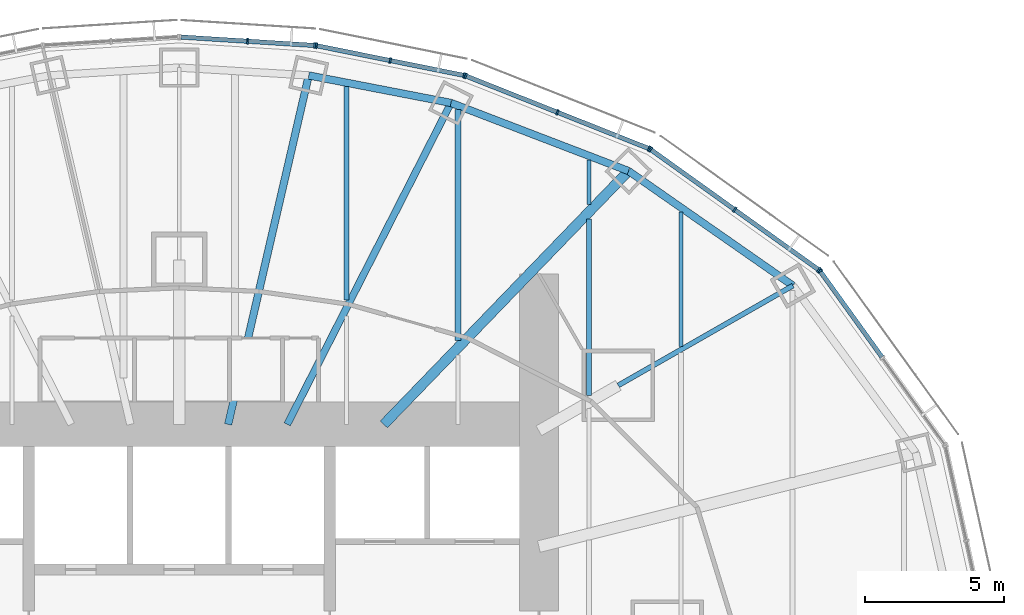
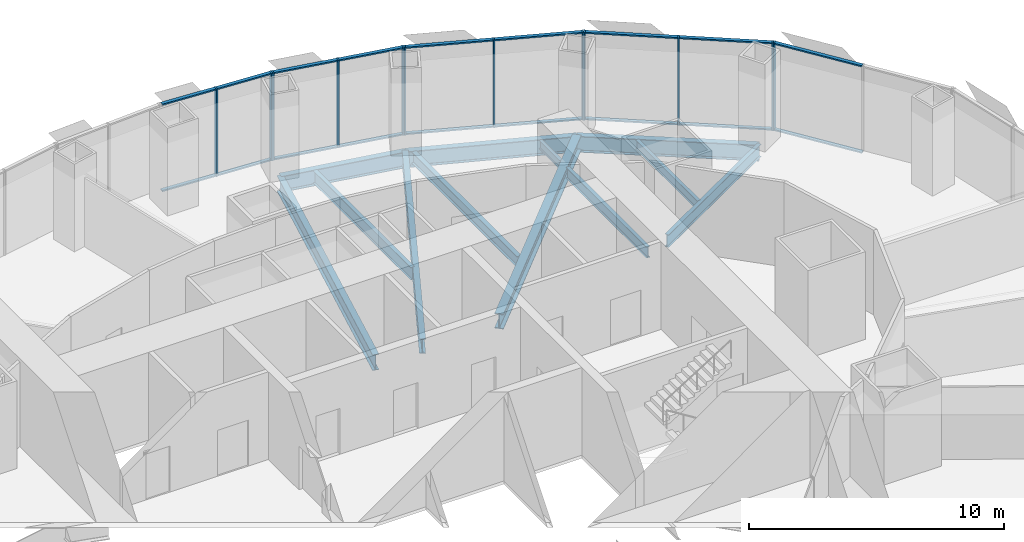
# One storey, part 8 of 18: 30 members, 12 beams, 5 elements without a shape of their own.
"""IFC4 building model written with IfcOpenShell, lengths in metres."""

from ifc_helpers import new_model, si_unit, direction, frame, origin, origin_2d, place, context, subcontext, project, spatial, rectangle, i_section, extrude, material, material_profile, profile_set, type_object, element, aggregate, save


model = new_model("IFC4")

# Units and contexts
model_context = context("Model", 3, precision=1e-05, world=origin(), true_north=direction((0.0, 1.0)))
body_context = subcontext(model_context, "Body", "Model", "MODEL_VIEW")
ifc_project = project(units=[si_unit("LENGTHUNIT", "METRE"), si_unit("AREAUNIT", "SQUARE_METRE"), si_unit("VOLUMEUNIT", "CUBIC_METRE"), si_unit("PLANEANGLEUNIT", "RADIAN"), si_unit("MASSUNIT", "GRAM", prefix="KILO")], contexts=[model_context])

# Site, building, storey
site_placement = place(None, origin())
site = spatial("IfcSite", under=ifc_project, at=site_placement, CompositionType="ELEMENT")
building_placement = place(site_placement, origin())
building = spatial("IfcBuilding", under=site, at=building_placement, Name="Lantaw Convention Tower", CompositionType="ELEMENT")
storey_placement = place(building_placement, frame((0.0, 0.0, 130.0)))
storey = spatial("IfcBuildingStorey", under=building, at=storey_placement, Name="L30", CompositionType="ELEMENT", Elevation=130.0)

# Beams
ifc_material_1 = material(Name="Steel ASTM A992", Category="steel")
ifc_material_profile_1 = material_profile(ifc_material_1, i_section(OverallWidth=0.2666015625, OverallDepth=0.76953125, WebThickness=0.015625, FlangeThickness=0.025390625, FilletRadius=0.0126953125, at=origin_2d()), Name="W30X132")
ifc_profile_set_1 = profile_set([ifc_material_profile_1], Name="Steel ASTM A992")
beam_type_1 = type_object("IfcBeamType", Name="Beam E W30X132", PredefinedType="SPANDREL", material=ifc_profile_set_1)
beam_1_placement = place(storey_placement, frame((22.013916015625, 12.579345703125, -0.534912109375), z_axis=(-0.820310765287, 0.57191804339, 0.0), x_axis=(-0.57191804339, -0.820310765287, 0.0)))
element("IfcBeam", 1, at=beam_1_placement, inside=storey, type_object=beam_type_1, Name="Edge beam 3", PredefinedType="SPANDREL", context=body_context, shape_type="SweptSolid", body=[
    extrude(i_section(OverallWidth=0.2666015625, OverallDepth=0.76953125, WebThickness=0.015625, FlangeThickness=0.025390625, FilletRadius=0.0126953125, at=origin_2d()), origin(), (0.0, 0.0, 1.0), 7.187744140625),
])
beam_2_placement = place(storey_placement, frame((16.11767578125, 16.690185546875, -0.534912109375), z_axis=(-0.933691081977, 0.358079549033, 0.0), x_axis=(-0.358079549033, -0.933691081977, 0.0)))
element("IfcBeam", 2, at=beam_2_placement, inside=storey, type_object=beam_type_1, Name="Edge beam 4", PredefinedType="SPANDREL", context=body_context, shape_type="SweptSolid", body=[
    extrude(i_section(OverallWidth=0.2666015625, OverallDepth=0.76953125, WebThickness=0.015625, FlangeThickness=0.025390625, FilletRadius=0.0126953125, at=origin_2d()), origin(), (0.0, 0.0, 1.0), 6.821533203125),
])
beam_3_placement = place(storey_placement, frame((9.74853515625, 19.1328125, -0.534912109375), z_axis=(-0.981796805654, 0.189934284446, 0.0), x_axis=(-0.189934284446, -0.981796805654, 0.0)))
element("IfcBeam", 3, at=beam_3_placement, inside=storey, type_object=beam_type_1, Name="Edge beam 5", PredefinedType="SPANDREL", context=body_context, shape_type="SweptSolid", body=[
    extrude(i_section(OverallWidth=0.2666015625, OverallDepth=0.76953125, WebThickness=0.015625, FlangeThickness=0.025390625, FilletRadius=0.0126953125, at=origin_2d()), origin(), (0.0, 0.0, 1.0), 5.1982421875),
])
ifc_material_profile_2 = material_profile(ifc_material_1, i_section(OverallWidth=0.177978515625, OverallDepth=0.599365234375, WebThickness=0.010009765625, FlangeThickness=0.012939453125, FilletRadius=0.012939453125, at=origin_2d()), Name="W24X55")
ifc_profile_set_2 = profile_set([ifc_material_profile_2], Name="Steel ASTM A992")
beam_type_2 = type_object("IfcBeamType", Name="Beam G W24X55", PredefinedType="BEAM", material=ifc_profile_set_2)
beam_4_placement = place(storey_placement, frame((15.75, 9.0, -0.44970703125), z_axis=(0.868245224608, 0.496135293993, 0.0), x_axis=(-0.496135293993, 0.868245224608, 0.0)))
element("IfcBeam", 4, at=beam_4_placement, inside=storey, type_object=beam_type_2, Name="Floor girder on ray 3", PredefinedType="BEAM", context=body_context, shape_type="SweptSolid", body=[
    extrude(i_section(OverallWidth=0.177978515625, OverallDepth=0.599365234375, WebThickness=0.010009765625, FlangeThickness=0.012939453125, FilletRadius=0.012939453125, at=origin_2d()), origin(), (0.0, 0.0, 1.0), 7.21435546875),
])
ifc_material_profile_3 = material_profile(ifc_material_1, i_section(OverallWidth=0.25390625, OverallDepth=0.700927734375, WebThickness=0.015380859375, FlangeThickness=0.02783203125, FilletRadius=0.01513671875, at=origin_2d()), Name="W27X129")
ifc_profile_set_3 = profile_set([ifc_material_profile_3], Name="Steel ASTM A992")
beam_type_3 = type_object("IfcBeamType", Name="Beam G W27X129", PredefinedType="BEAM", material=ifc_profile_set_3)
beam_5_placement = place(storey_placement, frame((3.872314453125, 7.60009765625, -0.50048828125), z_axis=(0.453991051051, 0.891006243281, 0.0), x_axis=(-0.891006243281, 0.453991051051, 0.0)))
element("IfcBeam", 5, at=beam_5_placement, inside=storey, type_object=beam_type_3, Name="Floor girder on ray 5", PredefinedType="BEAM", context=body_context, shape_type="SweptSolid", body=[
    extrude(i_section(OverallWidth=0.25390625, OverallDepth=0.700927734375, WebThickness=0.015380859375, FlangeThickness=0.02783203125, FilletRadius=0.01513671875, at=origin_2d()), origin(), (0.0, 0.0, 1.0), 12.943359375),
])
ifc_material_profile_4 = material_profile(ifc_material_1, i_section(OverallWidth=0.360595703125, OverallDepth=0.72900390625, WebThickness=0.023193359375, FlangeThickness=0.041015625, FilletRadius=0.0126953125, at=origin_2d()), Name="W27X235")
ifc_profile_set_4 = profile_set([ifc_material_profile_4], Name="Steel ASTM A992")
beam_type_4 = type_object("IfcBeamType", Name="Beam G W27X235", PredefinedType="BEAM", material=ifc_profile_set_4)
beam_6_placement = place(storey_placement, frame((7.33935546875, 7.60009765625, -0.514404296875), z_axis=(0.694663467407, 0.719334878239, 0.0), x_axis=(-0.719334878239, 0.694663467407, 0.0)))
element("IfcBeam", 6, at=beam_6_placement, inside=storey, type_object=beam_type_4, Name="Floor girder on ray 4", PredefinedType="BEAM", context=body_context, shape_type="SweptSolid", body=[
    extrude(i_section(OverallWidth=0.360595703125, OverallDepth=0.72900390625, WebThickness=0.023193359375, FlangeThickness=0.041015625, FilletRadius=0.0126953125, at=origin_2d()), origin(), (0.0, 0.0, 1.0), 12.63671875),
])
ifc_material_profile_5 = material_profile(ifc_material_1, i_section(OverallWidth=0.2666015625, OverallDepth=0.7568359375, WebThickness=0.013916015625, FlangeThickness=0.019287109375, FilletRadius=0.0126953125, at=origin_2d()), Name="W30X108")
ifc_profile_set_5 = profile_set([ifc_material_profile_5], Name="Steel ASTM A992")
beam_type_5 = type_object("IfcBeamType", Name="Beam G W30X108", PredefinedType="BEAM", material=ifc_profile_set_5)
beam_7_placement = place(storey_placement, frame((1.754638671875, 7.60009765625, -0.528564453125), z_axis=(0.224944153104, 0.974371658036, 0.0), x_axis=(-0.974371658036, 0.224944153104, 0.0)))
element("IfcBeam", 7, at=beam_7_placement, inside=storey, type_object=beam_type_5, Name="Floor girder on ray 6", PredefinedType="BEAM", context=body_context, shape_type="SweptSolid", body=[
    extrude(i_section(OverallWidth=0.2666015625, OverallDepth=0.7568359375, WebThickness=0.013916015625, FlangeThickness=0.019287109375, FilletRadius=0.0126953125, at=origin_2d()), origin(), (0.0, 0.0, 1.0), 12.849365234375),
])
ifc_material_profile_6 = material_profile(ifc_material_1, i_section(OverallWidth=0.140380859375, OverallDepth=0.40380859375, WebThickness=0.007080078125, FlangeThickness=0.01123046875, FilletRadius=0.01025390625, at=origin_2d()), Name="W16X31")
ifc_profile_set_6 = profile_set([ifc_material_profile_6], Name="Steel ASTM A992")
beam_type_6 = type_object("IfcBeamType", Name="Beam J W16X31", PredefinedType="JOIST", material=ifc_profile_set_6)
beam_8_placement = place(storey_placement, frame((14.699951171875, 15.48193359375, -0.35205078125), z_axis=(0.0, 1.0, 0.0), x_axis=(-1.0, 0.0, 0.0)))
element("IfcBeam", 8, at=beam_8_placement, inside=storey, type_object=beam_type_6, Name="Floor joist", PredefinedType="JOIST", context=body_context, shape_type="SweptSolid", body=[
    extrude(i_section(OverallWidth=0.140380859375, OverallDepth=0.40380859375, WebThickness=0.007080078125, FlangeThickness=0.01123046875, FilletRadius=0.01025390625, at=origin_2d()), origin(), (0.0, 0.0, 1.0), 1.609130859375),
])
ifc_material_profile_7 = material_profile(ifc_material_1, i_section(OverallWidth=0.15234375, OverallDepth=0.449462890625, WebThickness=0.007568359375, FlangeThickness=0.0107421875, FilletRadius=0.01025390625, at=origin_2d()), Name="W18X35")
ifc_profile_set_7 = profile_set([ifc_material_profile_7], Name="Steel ASTM A992")
beam_type_7 = type_object("IfcBeamType", Name="Beam J W18X35", PredefinedType="JOIST", material=ifc_profile_set_7)
beam_9_placement = place(storey_placement, frame((18.0, 10.38818359375, -0.374755859375), z_axis=(0.0, 1.0, 0.0), x_axis=(-1.0, 0.0, 0.0)))
element("IfcBeam", 9, at=beam_9_placement, inside=storey, type_object=beam_type_7, Name="Floor joist", PredefinedType="JOIST", context=body_context, shape_type="SweptSolid", body=[
    extrude(i_section(OverallWidth=0.15234375, OverallDepth=0.449462890625, WebThickness=0.007568359375, FlangeThickness=0.0107421875, FilletRadius=0.01025390625, at=origin_2d()), origin(), (0.0, 0.0, 1.0), 4.8271484375),
])
ifc_material_profile_8 = material_profile(ifc_material_1, i_section(OverallWidth=0.1650390625, OverallDepth=0.52587890625, WebThickness=0.0087890625, FlangeThickness=0.011474609375, FilletRadius=0.0126953125, at=origin_2d()), Name="W21X44")
ifc_profile_set_8 = profile_set([ifc_material_profile_8], Name="Steel ASTM A992")
beam_type_8 = type_object("IfcBeamType", Name="Beam J W21X44", PredefinedType="JOIST", material=ifc_profile_set_8)
beam_10_placement = place(storey_placement, frame((14.699951171875, 8.632568359375, -0.412841796875), z_axis=(0.0, 1.0, 0.0), x_axis=(-1.0, 0.0, 0.0)))
element("IfcBeam", 10, at=beam_10_placement, inside=storey, type_object=beam_type_8, Name="Floor joist", PredefinedType="JOIST", context=body_context, shape_type="SweptSolid", body=[
    extrude(i_section(OverallWidth=0.1650390625, OverallDepth=0.52587890625, WebThickness=0.0087890625, FlangeThickness=0.011474609375, FilletRadius=0.0126953125, at=origin_2d()), origin(), (0.0, 0.0, 1.0), 6.330078125),
])
ifc_material_profile_9 = material_profile(ifc_material_1, i_section(OverallWidth=0.2099609375, OverallDepth=0.535888671875, WebThickness=0.010986328125, FlangeThickness=0.017333984375, FilletRadius=0.012939453125, at=origin_2d()), Name="W21X68")
ifc_profile_set_9 = profile_set([ifc_material_profile_9], Name="Steel ASTM A992")
beam_type_9 = type_object("IfcBeamType", Name="Beam J W21X68", PredefinedType="JOIST", material=ifc_profile_set_9)
beam_11_placement = place(storey_placement, frame((10.0, 10.614990234375, -0.41796875), z_axis=(0.0, 1.0, 0.0), x_axis=(-1.0, 0.0, 0.0)))
element("IfcBeam", 11, at=beam_11_placement, inside=storey, type_object=beam_type_9, Name="Floor joist", PredefinedType="JOIST", context=body_context, shape_type="SweptSolid", body=[
    extrude(i_section(OverallWidth=0.2099609375, OverallDepth=0.535888671875, WebThickness=0.010986328125, FlangeThickness=0.017333984375, FilletRadius=0.012939453125, at=origin_2d()), origin(), (0.0, 0.0, 1.0), 8.278564453125),
])
ifc_material_profile_10 = material_profile(ifc_material_1, i_section(OverallWidth=0.177978515625, OverallDepth=0.599365234375, WebThickness=0.010009765625, FlangeThickness=0.012939453125, FilletRadius=0.012939453125, at=origin_2d()), Name="W24X55")
ifc_profile_set_10 = profile_set([ifc_material_profile_10], Name="Steel ASTM A992")
beam_type_10 = type_object("IfcBeamType", Name="Beam J W24X55", PredefinedType="JOIST", material=ifc_profile_set_10)
beam_12_placement = place(storey_placement, frame((6.0, 12.055419921875, -0.44970703125), z_axis=(0.0, 1.0, 0.0), x_axis=(-1.0, 0.0, 0.0)))
element("IfcBeam", 12, at=beam_12_placement, inside=storey, type_object=beam_type_10, Name="Floor joist", PredefinedType="JOIST", context=body_context, shape_type="SweptSolid", body=[
    extrude(i_section(OverallWidth=0.177978515625, OverallDepth=0.599365234375, WebThickness=0.010009765625, FlangeThickness=0.012939453125, FilletRadius=0.012939453125, at=origin_2d()), origin(), (0.0, 0.0, 1.0), 7.666748046875),
])

# Curtain wall, member
ifc_material_2 = material(Name="Aluminium framed curtain wall", Category="aluminium")
curtain_wall_type = type_object("IfcCurtainWallType", Name="Office curtain wall low rise, pale aluminium", PredefinedType="USERDEFINED", material=ifc_material_2)
curtain_wall_1_placement = place(storey_placement, origin())
curtain_wall_1 = element("IfcCurtainWall", 13, at=curtain_wall_1_placement, inside=storey, type_object=curtain_wall_type, Name="Office curtain wall low rise, pale aluminium L30", ObjectType="UNITISED CURTAIN WALL", PredefinedType="USERDEFINED")
ifc_material_3 = material(Name="Aluminium 6063-T6", Category="aluminium")
ifc_material_profile_11 = material_profile(ifc_material_3, rectangle(XDim=0.199951171875, YDim=0.06494140625, at=origin_2d()), Name="CW-O1 mullion 65x200")
ifc_profile_set_11 = profile_set([ifc_material_profile_11], Name="Aluminium 6063-T6")
member_type_1 = type_object("IfcMemberType", Name="CW-O1 mullion 65x200", PredefinedType="MULLION", material=ifc_profile_set_11)
member_1_placement = place(storey_placement, frame((22.988037109375, 13.098876953125, -0.14990234375), z_axis=(0.0, 0.0, 1.0), x_axis=(-0.811384633629, -0.584512597221, 0.0)))
member_1 = element("IfcMember", 14, at=member_1_placement, type_object=member_type_1, Name="CW-O1 mullion 3", PredefinedType="MULLION", context=body_context, shape_type="SweptSolid", body=[
    extrude(rectangle(XDim=0.199951171875, YDim=0.06494140625, at=origin_2d()), origin(), (0.0, 0.0, 1.0), 4.199951171875),
])

# Curtain wall, members
curtain_wall_2_placement = place(storey_placement, origin())
curtain_wall_2 = element("IfcCurtainWall", 15, at=curtain_wall_2_placement, inside=storey, type_object=curtain_wall_type, Name="Office curtain wall low rise, pale aluminium L30", ObjectType="UNITISED CURTAIN WALL", PredefinedType="USERDEFINED")
member_2_placement = place(storey_placement, frame((22.942626953125, 13.14404296875, -0.14990234375), z_axis=(0.0, 0.0, 1.0), x_axis=(-0.581972695693, -0.813208325995, 0.0)))
member_2 = element("IfcMember", 16, at=member_2_placement, type_object=member_type_1, Name="CW-O1 mullion 1", PredefinedType="MULLION", context=body_context, shape_type="SweptSolid", body=[
    extrude(rectangle(XDim=0.199951171875, YDim=0.06494140625, at=origin_2d()), origin(), (0.0, 0.0, 1.0), 4.199951171875),
])
member_3_placement = place(storey_placement, frame((19.92529296875, 15.303466796875, -0.14990234375), z_axis=(0.0, 0.0, 1.0), x_axis=(-0.581972695693, -0.813208325995, 0.0)))
member_3 = element("IfcMember", 17, at=member_3_placement, type_object=member_type_1, Name="CW-O1 mullion 2", PredefinedType="MULLION", context=body_context, shape_type="SweptSolid", body=[
    extrude(rectangle(XDim=0.199951171875, YDim=0.06494140625, at=origin_2d()), origin(), (0.0, 0.0, 1.0), 4.199951171875),
])
member_4_placement = place(storey_placement, frame((16.908203125, 17.462646484375, -0.14990234375), z_axis=(0.0, 0.0, 1.0), x_axis=(-0.581972695693, -0.813208325995, 0.0)))
member_4 = element("IfcMember", 18, at=member_4_placement, type_object=member_type_1, Name="CW-O1 mullion 3", PredefinedType="MULLION", context=body_context, shape_type="SweptSolid", body=[
    extrude(rectangle(XDim=0.199951171875, YDim=0.06494140625, at=origin_2d()), origin(), (0.0, 0.0, 1.0), 4.199951171875),
])

curtain_wall_3_placement = place(storey_placement, origin())
curtain_wall_3 = element("IfcCurtainWall", 19, at=curtain_wall_3_placement, inside=storey, type_object=curtain_wall_type, Name="Office curtain wall low rise, pale aluminium L30", ObjectType="UNITISED CURTAIN WALL", PredefinedType="USERDEFINED")
member_5_placement = place(storey_placement, frame((16.8515625, 17.49365234375, -0.14990234375), z_axis=(0.0, 0.0, 1.0), x_axis=(-0.368701907483, -0.929547687544, 0.0)))
member_5 = element("IfcMember", 20, at=member_5_placement, type_object=member_type_1, Name="CW-O1 mullion 1", PredefinedType="MULLION", context=body_context, shape_type="SweptSolid", body=[
    extrude(rectangle(XDim=0.199951171875, YDim=0.06494140625, at=origin_2d()), origin(), (0.0, 0.0, 1.0), 4.199951171875),
])
member_6_placement = place(storey_placement, frame((13.56494140625, 18.797119140625, -0.14990234375), z_axis=(0.0, 0.0, 1.0), x_axis=(-0.368701907483, -0.929547687544, 0.0)))
member_6 = element("IfcMember", 21, at=member_6_placement, type_object=member_type_1, Name="CW-O1 mullion 2", PredefinedType="MULLION", context=body_context, shape_type="SweptSolid", body=[
    extrude(rectangle(XDim=0.199951171875, YDim=0.06494140625, at=origin_2d()), origin(), (0.0, 0.0, 1.0), 4.199951171875),
])
member_7_placement = place(storey_placement, frame((10.2783203125, 20.100830078125, -0.14990234375), z_axis=(0.0, 0.0, 1.0), x_axis=(-0.368701907483, -0.929547687544, 0.0)))
member_7 = element("IfcMember", 22, at=member_7_placement, type_object=member_type_1, Name="CW-O1 mullion 3", PredefinedType="MULLION", context=body_context, shape_type="SweptSolid", body=[
    extrude(rectangle(XDim=0.199951171875, YDim=0.06494140625, at=origin_2d()), origin(), (0.0, 0.0, 1.0), 4.199951171875),
])

curtain_wall_4_placement = place(storey_placement, origin())
curtain_wall_4 = element("IfcCurtainWall", 23, at=curtain_wall_4_placement, inside=storey, type_object=curtain_wall_type, Name="Office curtain wall low rise, pale aluminium L30", ObjectType="UNITISED CURTAIN WALL", PredefinedType="USERDEFINED")
member_8_placement = place(storey_placement, frame((10.216064453125, 20.119140625, -0.14990234375), z_axis=(0.0, 0.0, 1.0), x_axis=(-0.197506809659, -0.980301514912, 0.0)))
member_8 = element("IfcMember", 24, at=member_8_placement, type_object=member_type_1, Name="CW-O1 mullion 1", PredefinedType="MULLION", context=body_context, shape_type="SweptSolid", body=[
    extrude(rectangle(XDim=0.199951171875, YDim=0.06494140625, at=origin_2d()), origin(), (0.0, 0.0, 1.0), 4.199951171875),
])
member_9_placement = place(storey_placement, frame((7.5703125, 20.65234375, -0.14990234375), z_axis=(0.0, 0.0, 1.0), x_axis=(-0.197506809659, -0.980301514912, 0.0)))
member_9 = element("IfcMember", 25, at=member_9_placement, type_object=member_type_1, Name="CW-O1 mullion 2", PredefinedType="MULLION", context=body_context, shape_type="SweptSolid", body=[
    extrude(rectangle(XDim=0.199951171875, YDim=0.06494140625, at=origin_2d()), origin(), (0.0, 0.0, 1.0), 4.199951171875),
])
member_10_placement = place(storey_placement, frame((4.92431640625, 21.185302734375, -0.14990234375), z_axis=(0.0, 0.0, 1.0), x_axis=(-0.197506809659, -0.980301514912, 0.0)))
member_10 = element("IfcMember", 26, at=member_10_placement, type_object=member_type_1, Name="CW-O1 mullion 3", PredefinedType="MULLION", context=body_context, shape_type="SweptSolid", body=[
    extrude(rectangle(XDim=0.199951171875, YDim=0.06494140625, at=origin_2d()), origin(), (0.0, 0.0, 1.0), 4.199951171875),
])

curtain_wall_5_placement = place(storey_placement, origin())
curtain_wall_5 = element("IfcCurtainWall", 27, at=curtain_wall_5_placement, inside=storey, type_object=curtain_wall_type, Name="Office curtain wall low rise, pale aluminium L30", ObjectType="UNITISED CURTAIN WALL", PredefinedType="USERDEFINED")
member_11_placement = place(storey_placement, frame((4.860107421875, 21.19384765625, -0.14990234375), z_axis=(0.0, 0.0, 1.0), x_axis=(-0.062865059466, -0.998022035978, 0.0)))
member_11 = element("IfcMember", 28, at=member_11_placement, type_object=member_type_1, Name="CW-O1 mullion 1", PredefinedType="MULLION", context=body_context, shape_type="SweptSolid", body=[
    extrude(rectangle(XDim=0.199951171875, YDim=0.06494140625, at=origin_2d()), origin(), (0.0, 0.0, 1.0), 4.199951171875),
])
member_12_placement = place(storey_placement, frame((2.4462890625, 21.345947265625, -0.14990234375), z_axis=(0.0, 0.0, 1.0), x_axis=(-0.062865059466, -0.998022035978, 0.0)))
member_12 = element("IfcMember", 29, at=member_12_placement, type_object=member_type_1, Name="CW-O1 mullion 2", PredefinedType="MULLION", context=body_context, shape_type="SweptSolid", body=[
    extrude(rectangle(XDim=0.199951171875, YDim=0.06494140625, at=origin_2d()), origin(), (0.0, 0.0, 1.0), 4.199951171875),
])

# Member
ifc_material_profile_12 = material_profile(ifc_material_3, rectangle(XDim=0.159912109375, YDim=0.06494140625, at=origin_2d()), Name="CW-O1 transom 65x160")
ifc_profile_set_12 = profile_set([ifc_material_profile_12], Name="Aluminium 6063-T6")
member_type_2 = type_object("IfcMemberType", Name="CW-O1 transom 65x160", PredefinedType="USERDEFINED", material=ifc_profile_set_12)
member_13_placement = place(storey_placement, frame((25.209228515625, 10.015625, -0.117431640625), z_axis=(-0.584512973979, 0.811384362217, 0.0), x_axis=(-0.811384362217, -0.584512973979, 0.0)))
member_13 = element("IfcMember", 30, at=member_13_placement, type_object=member_type_2, Name="CW-O1 transom 2.1", ObjectType="TRANSOM", PredefinedType="USERDEFINED", context=body_context, shape_type="SweptSolid", body=[
    extrude(rectangle(XDim=0.159912109375, YDim=0.06494140625, at=origin_2d()), origin(), (0.0, 0.0, 1.0), 3.767578125),
])

member_14_placement = place(storey_placement, frame((25.209228515625, 10.015625, 4.017578125), z_axis=(-0.584512973979, 0.811384362217, 0.0), x_axis=(-0.811384362217, -0.584512973979, 0.0)))
member_14 = element("IfcMember", 31, at=member_14_placement, type_object=member_type_2, Name="CW-O1 transom 2.2", ObjectType="TRANSOM", PredefinedType="USERDEFINED", context=body_context, shape_type="SweptSolid", body=[
    extrude(rectangle(XDim=0.159912109375, YDim=0.06494140625, at=origin_2d()), origin(), (0.0, 0.0, 1.0), 3.767578125),
])

aggregate(curtain_wall_1, [member_1, member_13, member_14])

member_15_placement = place(storey_placement, frame((22.916259765625, 13.1630859375, -0.117431640625), z_axis=(-0.813221785972, 0.581953887194, 0.0), x_axis=(-0.581953887194, -0.813221785972, 0.0)))
member_15 = element("IfcMember", 32, at=member_15_placement, type_object=member_type_2, Name="CW-O1 transom 1.1", ObjectType="TRANSOM", PredefinedType="USERDEFINED", context=body_context, shape_type="SweptSolid", body=[
    extrude(rectangle(XDim=0.159912109375, YDim=0.06494140625, at=origin_2d()), origin(), (0.0, 0.0, 1.0), 3.645263671875),
])

member_16_placement = place(storey_placement, frame((22.916259765625, 13.1630859375, 4.017578125), z_axis=(-0.813221785972, 0.581953887194, 0.0), x_axis=(-0.581953887194, -0.813221785972, 0.0)))
member_16 = element("IfcMember", 33, at=member_16_placement, type_object=member_type_2, Name="CW-O1 transom 1.2", ObjectType="TRANSOM", PredefinedType="USERDEFINED", context=body_context, shape_type="SweptSolid", body=[
    extrude(rectangle(XDim=0.159912109375, YDim=0.06494140625, at=origin_2d()), origin(), (0.0, 0.0, 1.0), 3.645263671875),
])

member_17_placement = place(storey_placement, frame((19.89892578125, 15.322265625, -0.117431640625), z_axis=(-0.813190089133, 0.581998177777, 0.0), x_axis=(-0.581998177777, -0.813190089133, 0.0)))
member_17 = element("IfcMember", 34, at=member_17_placement, type_object=member_type_2, Name="CW-O1 transom 2.1", ObjectType="TRANSOM", PredefinedType="USERDEFINED", context=body_context, shape_type="SweptSolid", body=[
    extrude(rectangle(XDim=0.159912109375, YDim=0.06494140625, at=origin_2d()), origin(), (0.0, 0.0, 1.0), 3.645263671875),
])

member_18_placement = place(storey_placement, frame((19.89892578125, 15.322265625, 4.017578125), z_axis=(-0.813190089133, 0.581998177777, 0.0), x_axis=(-0.581998177777, -0.813190089133, 0.0)))
member_18 = element("IfcMember", 35, at=member_18_placement, type_object=member_type_2, Name="CW-O1 transom 2.2", ObjectType="TRANSOM", PredefinedType="USERDEFINED", context=body_context, shape_type="SweptSolid", body=[
    extrude(rectangle(XDim=0.159912109375, YDim=0.06494140625, at=origin_2d()), origin(), (0.0, 0.0, 1.0), 3.645263671875),
])

aggregate(curtain_wall_2, [member_2, member_3, member_4, member_15, member_16, member_17, member_18])

member_19_placement = place(storey_placement, frame((16.8212890625, 17.505615234375, -0.117431640625), z_axis=(-0.929564188507, 0.368660303592, 0.0), x_axis=(-0.368660303592, -0.929564188507, 0.0)))
member_19 = element("IfcMember", 36, at=member_19_placement, type_object=member_type_2, Name="CW-O1 transom 1.1", ObjectType="TRANSOM", PredefinedType="USERDEFINED", context=body_context, shape_type="SweptSolid", body=[
    extrude(rectangle(XDim=0.159912109375, YDim=0.06494140625, at=origin_2d()), origin(), (0.0, 0.0, 1.0), 3.470703125),
])

member_20_placement = place(storey_placement, frame((16.8212890625, 17.505615234375, 4.017578125), z_axis=(-0.929564188507, 0.368660303592, 0.0), x_axis=(-0.368660303592, -0.929564188507, 0.0)))
member_20 = element("IfcMember", 37, at=member_20_placement, type_object=member_type_2, Name="CW-O1 transom 1.2", ObjectType="TRANSOM", PredefinedType="USERDEFINED", context=body_context, shape_type="SweptSolid", body=[
    extrude(rectangle(XDim=0.159912109375, YDim=0.06494140625, at=origin_2d()), origin(), (0.0, 0.0, 1.0), 3.470703125),
])

member_21_placement = place(storey_placement, frame((13.53466796875, 18.80908203125, -0.117431640625), z_axis=(-0.929540081544, 0.368721082668, 0.0), x_axis=(-0.368721082668, -0.929540081544, 0.0)))
member_21 = element("IfcMember", 38, at=member_21_placement, type_object=member_type_2, Name="CW-O1 transom 2.1", ObjectType="TRANSOM", PredefinedType="USERDEFINED", context=body_context, shape_type="SweptSolid", body=[
    extrude(rectangle(XDim=0.159912109375, YDim=0.06494140625, at=origin_2d()), origin(), (0.0, 0.0, 1.0), 3.470947265625),
])

member_22_placement = place(storey_placement, frame((13.53466796875, 18.80908203125, 4.017578125), z_axis=(-0.929540081544, 0.368721082668, 0.0), x_axis=(-0.368721082668, -0.929540081544, 0.0)))
member_22 = element("IfcMember", 39, at=member_22_placement, type_object=member_type_2, Name="CW-O1 transom 2.2", ObjectType="TRANSOM", PredefinedType="USERDEFINED", context=body_context, shape_type="SweptSolid", body=[
    extrude(rectangle(XDim=0.159912109375, YDim=0.06494140625, at=origin_2d()), origin(), (0.0, 0.0, 1.0), 3.470947265625),
])

aggregate(curtain_wall_3, [member_5, member_6, member_7, member_19, member_20, member_21, member_22])

member_23_placement = place(storey_placement, frame((10.184326171875, 20.125732421875, -0.117431640625), z_axis=(-0.980301643003, 0.197506173891, 0.0), x_axis=(-0.197506173891, -0.980301643003, 0.0)))
member_23 = element("IfcMember", 40, at=member_23_placement, type_object=member_type_2, Name="CW-O1 transom 1.1", ObjectType="TRANSOM", PredefinedType="USERDEFINED", context=body_context, shape_type="SweptSolid", body=[
    extrude(rectangle(XDim=0.159912109375, YDim=0.06494140625, at=origin_2d()), origin(), (0.0, 0.0, 1.0), 2.63427734375),
])

member_24_placement = place(storey_placement, frame((10.184326171875, 20.125732421875, 4.017578125), z_axis=(-0.980301643003, 0.197506173891, 0.0), x_axis=(-0.197506173891, -0.980301643003, 0.0)))
member_24 = element("IfcMember", 41, at=member_24_placement, type_object=member_type_2, Name="CW-O1 transom 1.2", ObjectType="TRANSOM", PredefinedType="USERDEFINED", context=body_context, shape_type="SweptSolid", body=[
    extrude(rectangle(XDim=0.159912109375, YDim=0.06494140625, at=origin_2d()), origin(), (0.0, 0.0, 1.0), 2.63427734375),
])

member_25_placement = place(storey_placement, frame((7.538330078125, 20.65869140625, -0.117431640625), z_axis=(-0.980298027092, 0.197524120247, 0.0), x_axis=(-0.197524120247, -0.980298027092, 0.0)))
member_25 = element("IfcMember", 42, at=member_25_placement, type_object=member_type_2, Name="CW-O1 transom 2.1", ObjectType="TRANSOM", PredefinedType="USERDEFINED", context=body_context, shape_type="SweptSolid", body=[
    extrude(rectangle(XDim=0.159912109375, YDim=0.06494140625, at=origin_2d()), origin(), (0.0, 0.0, 1.0), 2.634033203125),
])

member_26_placement = place(storey_placement, frame((7.538330078125, 20.65869140625, 4.017578125), z_axis=(-0.980298027092, 0.197524120247, 0.0), x_axis=(-0.197524120247, -0.980298027092, 0.0)))
member_26 = element("IfcMember", 43, at=member_26_placement, type_object=member_type_2, Name="CW-O1 transom 2.2", ObjectType="TRANSOM", PredefinedType="USERDEFINED", context=body_context, shape_type="SweptSolid", body=[
    extrude(rectangle(XDim=0.159912109375, YDim=0.06494140625, at=origin_2d()), origin(), (0.0, 0.0, 1.0), 2.634033203125),
])

aggregate(curtain_wall_4, [member_8, member_9, member_10, member_23, member_24, member_25, member_26])

member_27_placement = place(storey_placement, frame((4.82763671875, 21.19580078125, -0.117431640625), z_axis=(-0.998022188463, 0.062862638625, 0.0), x_axis=(-0.062862638625, -0.998022188463, 0.0)))
member_27 = element("IfcMember", 44, at=member_27_placement, type_object=member_type_2, Name="CW-O1 transom 1.1", ObjectType="TRANSOM", PredefinedType="USERDEFINED", context=body_context, shape_type="SweptSolid", body=[
    extrude(rectangle(XDim=0.159912109375, YDim=0.06494140625, at=origin_2d()), origin(), (0.0, 0.0, 1.0), 2.353515625),
])

member_28_placement = place(storey_placement, frame((4.82763671875, 21.19580078125, 4.017578125), z_axis=(-0.998022188463, 0.062862638625, 0.0), x_axis=(-0.062862638625, -0.998022188463, 0.0)))
member_28 = element("IfcMember", 45, at=member_28_placement, type_object=member_type_2, Name="CW-O1 transom 1.2", ObjectType="TRANSOM", PredefinedType="USERDEFINED", context=body_context, shape_type="SweptSolid", body=[
    extrude(rectangle(XDim=0.159912109375, YDim=0.06494140625, at=origin_2d()), origin(), (0.0, 0.0, 1.0), 2.353515625),
])

member_29_placement = place(storey_placement, frame((2.413818359375, 21.347900390625, -0.117431640625), z_axis=(-0.998022188463, 0.062862638625, 0.0), x_axis=(-0.062862638625, -0.998022188463, 0.0)))
member_29 = element("IfcMember", 46, at=member_29_placement, type_object=member_type_2, Name="CW-O1 transom 2.1", ObjectType="TRANSOM", PredefinedType="USERDEFINED", context=body_context, shape_type="SweptSolid", body=[
    extrude(rectangle(XDim=0.159912109375, YDim=0.06494140625, at=origin_2d()), origin(), (0.0, 0.0, 1.0), 2.353515625),
])

member_30_placement = place(storey_placement, frame((2.413818359375, 21.347900390625, 4.017578125), z_axis=(-0.998022188463, 0.062862638625, 0.0), x_axis=(-0.062862638625, -0.998022188463, 0.0)))
member_30 = element("IfcMember", 47, at=member_30_placement, type_object=member_type_2, Name="CW-O1 transom 2.2", ObjectType="TRANSOM", PredefinedType="USERDEFINED", context=body_context, shape_type="SweptSolid", body=[
    extrude(rectangle(XDim=0.159912109375, YDim=0.06494140625, at=origin_2d()), origin(), (0.0, 0.0, 1.0), 2.353515625),
])

aggregate(curtain_wall_5, [member_11, member_12, member_27, member_28, member_29, member_30])

save(model, "model.ifc")
